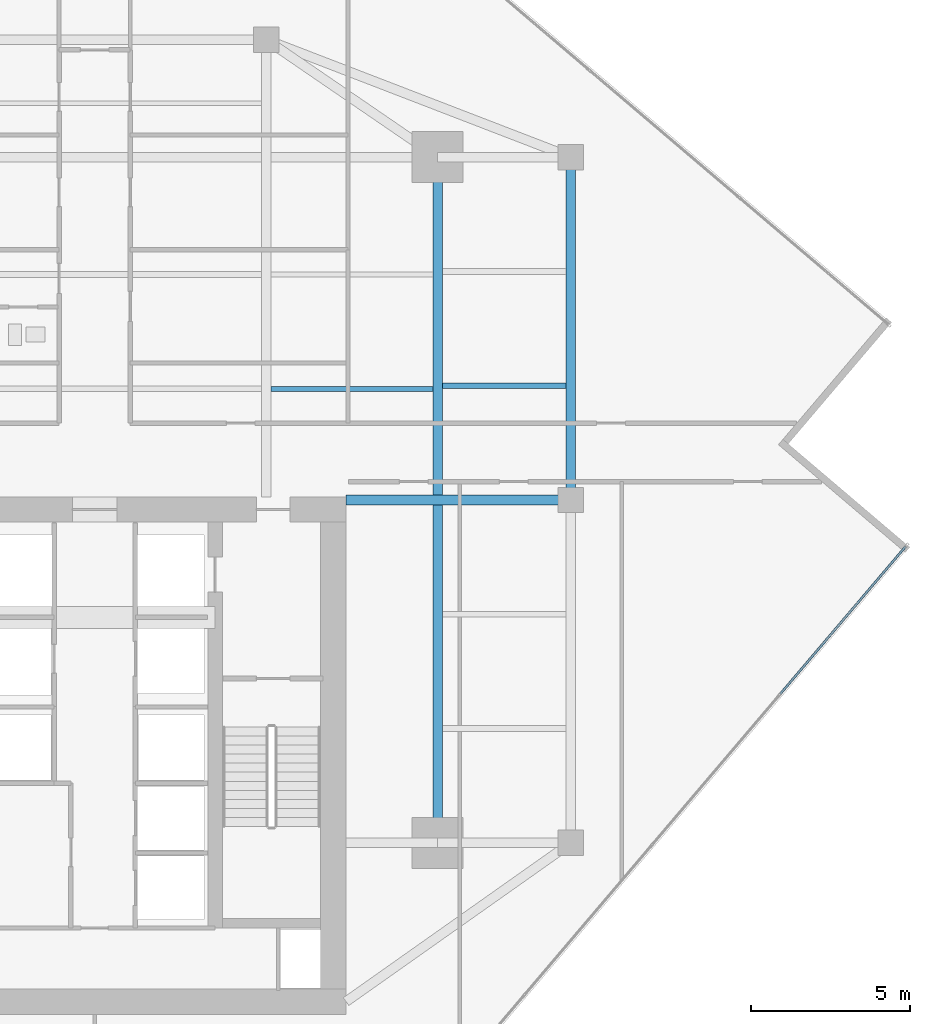
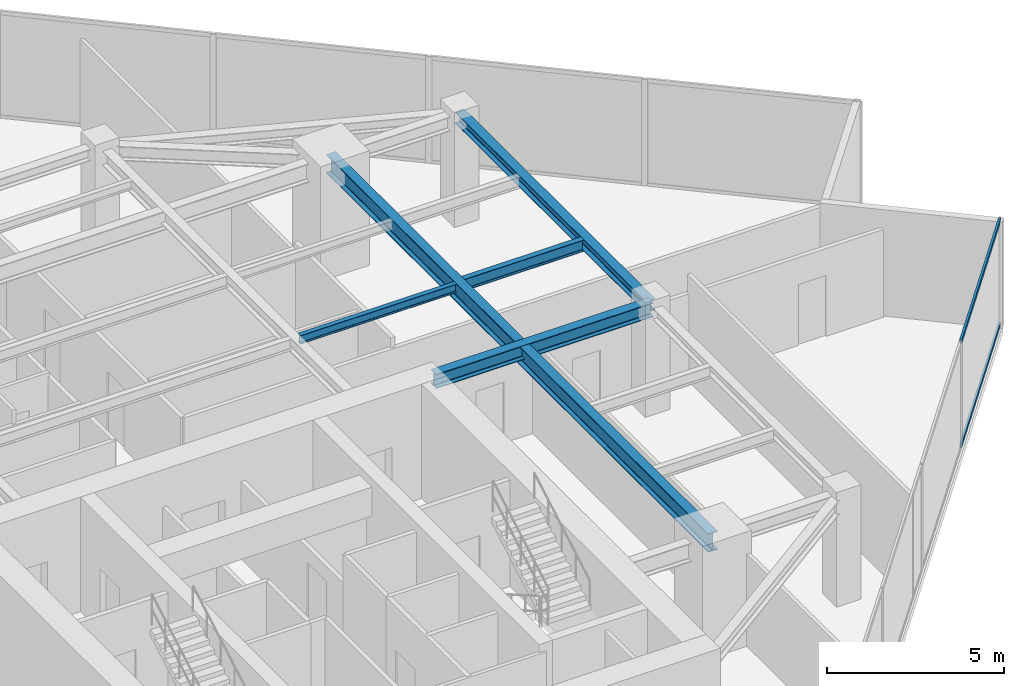
# One storey, part 12 of 25: 5 beams, 2 members, 1 element without a shape of its own.
"""IFC4 building model written with IfcOpenShell, lengths in metres."""

from ifc_helpers import new_model, si_unit, direction, frame, origin, origin_2d, place, context, subcontext, project, spatial, hollow_rectangle, i_section, extrude, source, transform, mapped, material, material_profile, profile_set, type_object, type_shapes, element, aggregate, save


model = new_model("IFC4")

# Units and contexts
model_context = context("Model", 3, precision=1e-05, world=origin(), true_north=direction((0.0, 1.0)))
body_context = subcontext(model_context, "Body", "Model", "MODEL_VIEW")
ifc_project = project(units=[si_unit("LENGTHUNIT", "METRE"), si_unit("AREAUNIT", "SQUARE_METRE"), si_unit("VOLUMEUNIT", "CUBIC_METRE"), si_unit("PLANEANGLEUNIT", "RADIAN"), si_unit("MASSUNIT", "GRAM", prefix="KILO")], contexts=[model_context])

# Site, building, storey
site_placement = place(None, origin())
site = spatial("IfcSite", under=ifc_project, at=site_placement, CompositionType="ELEMENT")
building_placement = place(site_placement, origin())
building = spatial("IfcBuilding", under=site, at=building_placement, Name="Krantzveldt Concourse Tower", CompositionType="ELEMENT")
storey_placement = place(building_placement, frame((0.0, 0.0, 211.25)))
storey = spatial("IfcBuildingStorey", under=building, at=storey_placement, Name="L51", CompositionType="ELEMENT", Elevation=211.25)

# Beams
ifc_material_1 = material(Name="Steel S355JR", Category="steel")
ifc_material_profile_1 = material_profile(ifc_material_1, i_section(OverallWidth=0.300048828125, OverallDepth=0.639892578125, WebThickness=0.013427734375, FlangeThickness=0.02587890625, FilletRadius=0.027099609375, at=origin_2d()), Name="Steel S355JR", Category="steel")
ifc_profile_set_1 = profile_set([ifc_material_profile_1], Name="Steel S355JR - HEA 650")
beam_type_1 = type_object("IfcBeamType", Name="BM-B-HEA650", PredefinedType="BEAM", material=ifc_profile_set_1)
shared_shape_1 = source(origin(), body_context, "Body", "SweptSolid", [
    extrude(i_section(OverallWidth=0.300048828125, OverallDepth=0.639892578125, WebThickness=0.013427734375, FlangeThickness=0.02587890625, FilletRadius=0.027099609375, at=origin_2d()), origin(), (0.0, 0.0, 1.0), 21.60009765625),
])
type_shapes(beam_type_1, [shared_shape_1])
beam_1_placement = place(storey_placement, frame((46.800048828125, 15.89990234375, 3.35009765625), z_axis=(0.0, 1.0, 0.0), x_axis=(-1.0, 0.0, 0.0)))
element("IfcBeam", 1, at=beam_1_placement, inside=storey, type_object=beam_type_1, Name="L51 Tower Girder BG-ME", PredefinedType="BEAM", context=body_context, shape_type="MappedRepresentation", body=[
    mapped(shared_shape_1, transform((0.0, 0.0, 0.0), x_axis=(1.0, 0.0, 0.0), y_axis=(0.0, 1.0, 0.0), z_axis=(0.0, 0.0, 1.0), scale=1.0)),
])
ifc_material_profile_2 = material_profile(ifc_material_1, i_section(OverallWidth=0.300048828125, OverallDepth=0.389892578125, WebThickness=0.010986328125, FlangeThickness=0.01904296875, FilletRadius=0.027099609375, at=origin_2d()), Name="Steel S355JR", Category="steel")
ifc_profile_set_2 = profile_set([ifc_material_profile_2], Name="Steel S355JR - HEA 400")
beam_type_2 = type_object("IfcBeamType", Name="BM-SP-HEA400", PredefinedType="SPANDREL", material=ifc_profile_set_2)
shared_shape_2 = source(origin(), body_context, "Body", "SweptSolid", [
    extrude(i_section(OverallWidth=0.300048828125, OverallDepth=0.389892578125, WebThickness=0.010986328125, FlangeThickness=0.01904296875, FilletRadius=0.027099609375, at=origin_2d()), origin(), (0.0, 0.0, 1.0), 10.800048828125),
])
type_shapes(beam_type_2, [shared_shape_2])
beam_2_placement = place(storey_placement, frame((51.0, 37.5, 3.47509765625), z_axis=(0.0, -1.0, 0.0), x_axis=(1.0, 0.0, 0.0)))
element("IfcBeam", 2, at=beam_2_placement, inside=storey, type_object=beam_type_2, Name="L51 Tower Girder SP-R06", PredefinedType="SPANDREL", context=body_context, shape_type="MappedRepresentation", body=[
    mapped(shared_shape_2, transform((0.0, 0.0, 0.0), x_axis=(1.0, 0.0, 0.0), y_axis=(0.0, 1.0, 0.0), z_axis=(0.0, 0.0, 1.0), scale=1.0)),
])
ifc_material_profile_3 = material_profile(ifc_material_1, i_section(OverallWidth=0.300048828125, OverallDepth=0.489990234375, WebThickness=0.011962890625, FlangeThickness=0.02294921875, FilletRadius=0.027099609375, at=origin_2d()), Name="Steel S355JR", Category="steel")
ifc_profile_set_3 = profile_set([ifc_material_profile_3], Name="Steel S355JR - HEA 500")
beam_type_3 = type_object("IfcBeamType", Name="BM-B-HEA500", PredefinedType="BEAM", material=ifc_profile_set_3)
shared_shape_3 = source(origin(), body_context, "Body", "SweptSolid", [
    extrude(i_section(OverallWidth=0.300048828125, OverallDepth=0.489990234375, WebThickness=0.011962890625, FlangeThickness=0.02294921875, FilletRadius=0.027099609375, at=origin_2d()), origin(), (0.0, 0.0, 1.0), 7.080078125),
])
type_shapes(beam_type_3, [shared_shape_3])
beam_3_placement = place(storey_placement, frame((43.919921875, 26.699951171875, 3.425048828125), z_axis=(1.0, 0.0, 0.0), x_axis=(0.0, 1.0, 0.0)))
element("IfcBeam", 3, at=beam_3_placement, inside=storey, type_object=beam_type_3, Name="L51 Tower Girder BG-CE2", PredefinedType="BEAM", context=body_context, shape_type="MappedRepresentation", body=[
    mapped(shared_shape_3, transform((0.0, 0.0, 0.0), x_axis=(1.0, 0.0, 0.0), y_axis=(0.0, 1.0, 0.0), z_axis=(0.0, 0.0, 1.0), scale=1.0)),
])
ifc_material_profile_4 = material_profile(ifc_material_1, i_section(OverallWidth=0.14990234375, OverallDepth=0.300048828125, WebThickness=0.007080078125, FlangeThickness=0.0107421875, FilletRadius=0.014892578125, at=origin_2d()), Name="Steel S355JR", Category="steel")
ifc_profile_set_4 = profile_set([ifc_material_profile_4], Name="Steel S355JR - IPE 300")
beam_type_4 = type_object("IfcBeamType", Name="BM-J-IPE300", PredefinedType="JOIST", material=ifc_profile_set_4)
shared_shape_4 = source(origin(), body_context, "Body", "SweptSolid", [
    extrude(i_section(OverallWidth=0.14990234375, OverallDepth=0.300048828125, WebThickness=0.007080078125, FlangeThickness=0.0107421875, FilletRadius=0.014892578125, at=origin_2d()), origin(), (0.0, 0.0, 1.0), 5.099853515625),
])
type_shapes(beam_type_4, [shared_shape_4])
beam_4_placement = place(storey_placement, frame((41.550048828125, 30.199951171875, 3.52001953125), z_axis=(1.0, 0.0, 0.0), x_axis=(0.0, 1.0, 0.0)))
element("IfcBeam", 4, at=beam_4_placement, inside=storey, type_object=beam_type_4, Name="L51 Secondary Floor Joist JN-E1", PredefinedType="JOIST", context=body_context, shape_type="MappedRepresentation", body=[
    mapped(shared_shape_4, transform((0.0, 0.0, 0.0), x_axis=(1.0, 0.0, 0.0), y_axis=(0.0, 1.0, 0.0), z_axis=(0.0, 0.0, 1.0), scale=1.0)),
])
ifc_material_profile_5 = material_profile(ifc_material_1, i_section(OverallWidth=0.179931640625, OverallDepth=0.39990234375, WebThickness=0.008544921875, FlangeThickness=0.013427734375, FilletRadius=0.02099609375, at=origin_2d()), Name="Steel S355JR", Category="steel")
ifc_profile_set_5 = profile_set([ifc_material_profile_5], Name="Steel S355JR - IPE 400")
beam_type_5 = type_object("IfcBeamType", Name="BM-J-IPE400", PredefinedType="JOIST", material=ifc_profile_set_5)
shared_shape_5 = source(origin(), body_context, "Body", "SweptSolid", [
    extrude(i_section(OverallWidth=0.179931640625, OverallDepth=0.39990234375, WebThickness=0.008544921875, FlangeThickness=0.013427734375, FilletRadius=0.02099609375, at=origin_2d()), origin(), (0.0, 0.0, 1.0), 3.900146484375),
])
type_shapes(beam_type_5, [shared_shape_5])
beam_5_placement = place(storey_placement, frame((46.949951171875, 30.300048828125, 3.469970703125), z_axis=(1.0, 0.0, 0.0), x_axis=(0.0, 1.0, 0.0)))
element("IfcBeam", 5, at=beam_5_placement, inside=storey, type_object=beam_type_5, Name="L51 Secondary Floor Joist JE-3", PredefinedType="JOIST", context=body_context, shape_type="MappedRepresentation", body=[
    mapped(shared_shape_5, transform((0.0, 0.0, 0.0), x_axis=(1.0, 0.0, 0.0), y_axis=(0.0, 1.0, 0.0), z_axis=(0.0, 0.0, 1.0), scale=1.0)),
])

# Curtain wall, members
ifc_material_2 = material(Name="Anodised aluminium 6063-T6", Category="aluminium")
curtain_wall_type = type_object("IfcCurtainWallType", Name="CW3", PredefinedType="USERDEFINED", material=ifc_material_2)
curtain_wall_placement = place(storey_placement, origin())
curtain_wall = element("IfcCurtainWall", 6, at=curtain_wall_placement, inside=storey, type_object=curtain_wall_type, Name="CW-L51-F07", ObjectType="UNITISED CURTAIN WALL", PredefinedType="USERDEFINED")
ifc_material_profile_6 = material_profile(ifc_material_2, hollow_rectangle(XDim=0.070068359375, YDim=0.139892578125, WallThickness=0.0048828125, at=origin_2d()), Name="Anodised aluminium 6063-T6", Category="aluminium")
ifc_profile_set_6 = profile_set([ifc_material_profile_6], Name="Anodised aluminium 6063-T6 - ALU-TRAN 140x70x5")
member_type = type_object("IfcMemberType", Name="CW-TRN-150", PredefinedType="USERDEFINED", material=ifc_profile_set_6)
shared_shape_6 = source(origin(), body_context, "Body", "SweptSolid", [
    extrude(hollow_rectangle(XDim=0.070068359375, YDim=0.139892578125, WallThickness=0.0048828125, at=origin_2d()), origin(), (0.0, 0.0, 1.0), 6.094970703125),
])
type_shapes(member_type, [shared_shape_6])
member_1_placement = place(storey_placement, frame((57.595947265625, 20.59033203125, 0.034912109375), z_axis=(0.64778444877, 0.761823672468, 0.0), x_axis=(-0.761823672468, 0.64778444877, 0.0)))
member_1 = element("IfcMember", 7, at=member_1_placement, type_object=member_type, Name="CW-Z34 transom 5.1", ObjectType="TRANSOM", PredefinedType="USERDEFINED", context=body_context, shape_type="MappedRepresentation", body=[
    mapped(shared_shape_6, transform((0.0, 0.0, 0.0), x_axis=(1.0, 0.0, 0.0), y_axis=(0.0, 1.0, 0.0), z_axis=(0.0, 0.0, 1.0), scale=1.0)),
])
member_2_placement = place(storey_placement, frame((57.595947265625, 20.59033203125, 3.635009765625), z_axis=(0.64778444877, 0.761823672468, 0.0), x_axis=(-0.761823672468, 0.64778444877, 0.0)))
member_2 = element("IfcMember", 8, at=member_2_placement, type_object=member_type, Name="CW-Z34 transom 5.2", ObjectType="TRANSOM", PredefinedType="USERDEFINED", context=body_context, shape_type="MappedRepresentation", body=[
    mapped(shared_shape_6, transform((0.0, 0.0, 0.0), x_axis=(1.0, 0.0, 0.0), y_axis=(0.0, 1.0, 0.0), z_axis=(0.0, 0.0, 1.0), scale=1.0)),
])
aggregate(curtain_wall, [member_1, member_2])

save(model, "model.ifc")
